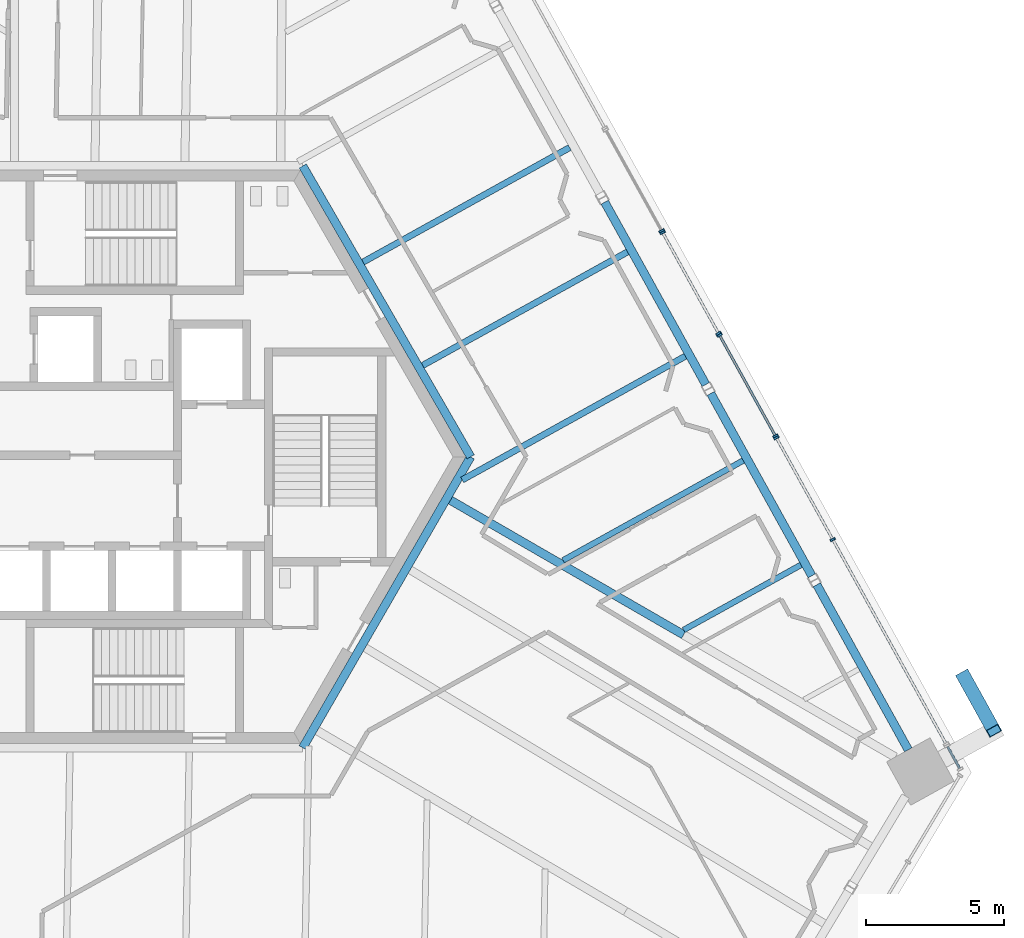
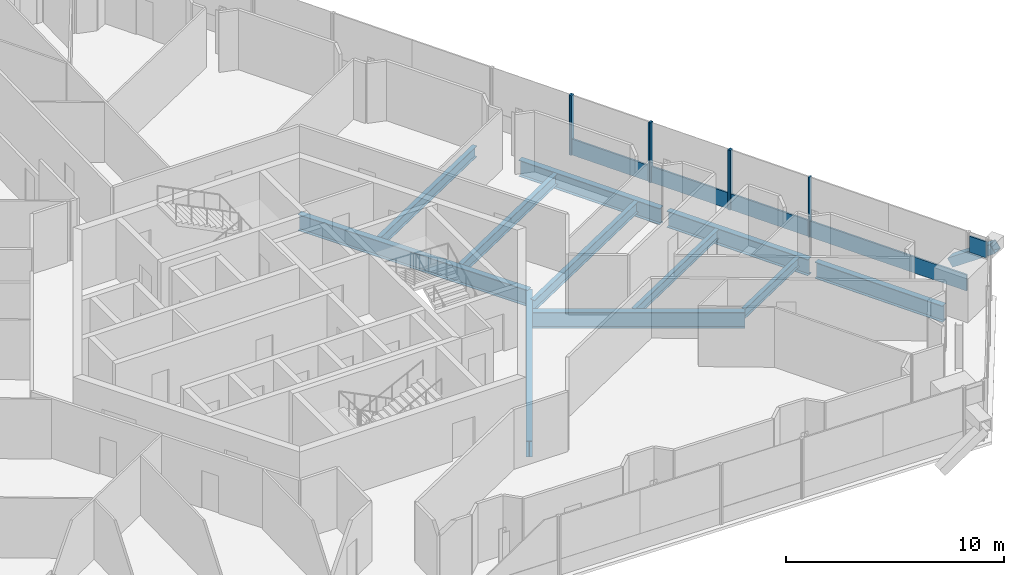
# One storey, part 8 of 24: 13 members, 11 beams, 5 elements without a shape of their own.
"""IFC4 building model written with IfcOpenShell, lengths in metres."""

from ifc_helpers import new_model, si_unit, direction, frame, origin, origin_2d, place, context, subcontext, project, spatial, rectangle, hollow_rectangle, i_section, extrude, source, transform, mapped, material, material_profile, profile_set, type_object, element, aggregate, save


model = new_model("IFC4")

# Units and contexts
model_context = context("Model", 3, precision=1e-05, world=origin(), true_north=direction((0.0, 1.0)))
body_context = subcontext(model_context, "Body", "Model", "MODEL_VIEW")
ifc_project = project(units=[si_unit("LENGTHUNIT", "METRE"), si_unit("AREAUNIT", "SQUARE_METRE"), si_unit("VOLUMEUNIT", "CUBIC_METRE"), si_unit("PLANEANGLEUNIT", "RADIAN"), si_unit("MASSUNIT", "GRAM", prefix="KILO")], contexts=[model_context])

# Site, building, storey
site_placement = place(None, origin())
site = spatial("IfcSite", under=ifc_project, at=site_placement, CompositionType="ELEMENT")
building_placement = place(site_placement, origin())
building = spatial("IfcBuilding", under=site, at=building_placement, Name="Triune Harvest Tower", CompositionType="ELEMENT")
storey_placement = place(building_placement, frame((0.0, 0.0, 212.300048828125)))
storey = spatial("IfcBuildingStorey", under=building, at=storey_placement, Name="L55", CompositionType="ELEMENT", Elevation=212.300048828125)

# Curtain wall, member
ifc_material_1 = material(Name="Aluminium bronze anodised", Category="aluminium")
curtain_wall_type_1 = type_object("IfcCurtainWallType", Name="CW-7 Tower stick curtain wall with insulated spandrel infill", PredefinedType="NOTDEFINED", material=ifc_material_1)
curtain_wall_1_placement = place(storey_placement, origin())
curtain_wall_1 = element("IfcCurtainWall", 1, at=curtain_wall_1_placement, inside=storey, type_object=curtain_wall_type_1, Name="CW-7 B5-F1 L55 run 201")
ifc_material_2 = material(Name="Aluminium bronze anodised", Category="aluminium")
ifc_material_profile_1 = material_profile(ifc_material_2, rectangle(XDim=0.090087890625, YDim=0.89990234375, at=origin_2d()), Name="TR-1 transom 90 x 900")
ifc_profile_set_1 = profile_set([ifc_material_profile_1], Name="Aluminium bronze anodised")
member_type_1 = type_object("IfcMemberType", Name="TR-1 transom 90 x 900", PredefinedType="USERDEFINED", material=ifc_profile_set_1)
member_1_placement = place(storey_placement, frame((25.28466796875, -2.96484375, 0.449951171875), z_axis=(-0.484821837264, 0.874612935025, 0.0), x_axis=(-0.874612935025, -0.484821837264, 0.0)))
member_1 = element("IfcMember", 2, at=member_1_placement, type_object=member_type_1, Name="CW-7 transom B5-F1 201.2", ObjectType="TRANSOM", PredefinedType="USERDEFINED", context=body_context, shape_type="SweptSolid", body=[
    extrude(rectangle(XDim=0.090087890625, YDim=0.89990234375, at=origin_2d()), origin(), (0.0, 0.0, 1.0), 4.141357421875),
])

# Beams
ifc_material_3 = material(Name="Steel ASTM A992 Gr 50", Category="steel")
ifc_material_profile_2 = material_profile(ifc_material_3, i_section(OverallWidth=0.3046875, OverallDepth=0.914306640625, WebThickness=0.0166015625, FlangeThickness=0.02587890625, at=origin_2d()), Name="W36x160")
ifc_profile_set_2 = profile_set([ifc_material_profile_2], Name="Steel ASTM A992 Gr 50")
beam_type_1 = type_object("IfcBeamType", Name="CG-1 Core ring girder W36x160", PredefinedType="BEAM", material=ifc_profile_set_2)
shared_shape_1 = source(origin(), body_context, "Body", "SweptSolid", [
    extrude(i_section(OverallWidth=0.3046875, OverallDepth=0.914306640625, WebThickness=0.0166015625, FlangeThickness=0.02587890625, at=origin_2d()), origin(), (0.0, 0.0, 1.0), 12.176025390625),
])
for number, where, z_axis, x_axis, name in (
    (3, (12.176025390625, 0.0, -0.6171875), (-0.5000099932, 0.866019634131, 0.0), (-0.866019634131, -0.5000099932, 0.0), "beam/L55/CG1"),
    (4, (6.087890625, -10.544677734375, -0.6171875), (0.5000099932, 0.866019634131, 0.0), (-0.866019634131, 0.5000099932, 0.0), "beam/L55/CG6"),
):
    element("IfcBeam", number, at=place(storey_placement, frame(where, z_axis=z_axis, x_axis=x_axis)), inside=storey, type_object=beam_type_1, Name=name, PredefinedType="BEAM", context=body_context, shape_type="MappedRepresentation", body=[
        mapped(shared_shape_1, transform((0.0, 0.0, 0.0), scale=1.0)),
    ])
ifc_material_4 = material(Name="Steel ASTM A992 Gr 50", Category="steel")
ifc_material_profile_3 = material_profile(ifc_material_4, i_section(OverallWidth=0.307373046875, OverallDepth=0.922119140625, WebThickness=0.018310546875, FlangeThickness=0.030029296875, at=origin_2d()), Name="W36x182")
ifc_profile_set_3 = profile_set([ifc_material_profile_3], Name="Steel ASTM A992 Gr 50")
beam_type_2 = type_object("IfcBeamType", Name="HG-2 Hip girder W36x182", PredefinedType="BEAM", material=ifc_profile_set_3)
shared_shape_2 = source(origin(), body_context, "Body", "SweptSolid", [
    extrude(i_section(OverallWidth=0.307373046875, OverallDepth=0.922119140625, WebThickness=0.018310546875, FlangeThickness=0.030029296875, at=origin_2d()), origin(), (0.0, 0.0, 1.0), 9.7568359375),
])
beam_1_placement = place(storey_placement, frame((19.893310546875, -6.451904296875, -0.62109375), z_axis=(-0.866026409454, 0.499998258125, 0.0), x_axis=(-0.499998258125, -0.866026409454, 0.0)))
element("IfcBeam", 5, at=beam_1_placement, inside=storey, type_object=beam_type_2, Name="beam/L55/HG2", PredefinedType="BEAM", context=body_context, shape_type="MappedRepresentation", body=[
    mapped(shared_shape_2, transform((0.0, 0.0, 0.0), scale=1.0)),
])
ifc_material_5 = material(Name="Steel ASTM A992 Gr 50", Category="steel")
ifc_material_profile_4 = material_profile(ifc_material_5, i_section(OverallWidth=0.3046875, OverallDepth=0.914306640625, WebThickness=0.0166015625, FlangeThickness=0.02587890625, at=origin_2d()), Name="W36x160")
ifc_profile_set_4 = profile_set([ifc_material_profile_4], Name="Steel ASTM A992 Gr 50")
beam_type_3 = type_object("IfcBeamType", Name="SB-1 Spandrel beam W36x160", PredefinedType="SPANDREL", material=ifc_profile_set_4)
shared_shape_3 = source(origin(), body_context, "Body", "SweptSolid", [
    extrude(i_section(OverallWidth=0.3046875, OverallDepth=0.914306640625, WebThickness=0.0166015625, FlangeThickness=0.02587890625, at=origin_2d()), origin(), (0.0, 0.0, 1.0), 6.841796875),
])
beam_2_placement = place(storey_placement, frame((28.0390625, -10.61962890625, -0.6171875), z_axis=(-0.484833781575, 0.87460631386, 0.0), x_axis=(-0.87460631386, -0.484833781575, 0.0)))
element("IfcBeam", 6, at=beam_2_placement, inside=storey, type_object=beam_type_3, Name="beam/L55/SB1", PredefinedType="SPANDREL", context=body_context, shape_type="MappedRepresentation", body=[
    mapped(shared_shape_3, transform((0.0, 0.0, 0.0), scale=1.0)),
])
shared_shape_4 = source(origin(), body_context, "Body", "SweptSolid", [
    extrude(i_section(OverallWidth=0.3046875, OverallDepth=0.914306640625, WebThickness=0.0166015625, FlangeThickness=0.02587890625, at=origin_2d()), origin(), (0.0, 0.0, 1.0), 7.556396484375),
])
for number, where, z_axis, x_axis, name in (
    (7, (24.542236328125, -4.311279296875, -0.6171875), (-0.484806011206, 0.874621707654, 0.0), (-0.874621707654, -0.484806011206, 0.0), "beam/L55/SB2"),
    (8, (20.698974609375, 2.6220703125, -0.6171875), (-0.484806011206, 0.874621707654, 0.0), (-0.874621707654, -0.484806011206, 0.0), "beam/L55/SB3"),
):
    element("IfcBeam", number, at=place(storey_placement, frame(where, z_axis=z_axis, x_axis=x_axis)), inside=storey, type_object=beam_type_3, Name=name, PredefinedType="SPANDREL", context=body_context, shape_type="MappedRepresentation", body=[
        mapped(shared_shape_4, transform((0.0, 0.0, 0.0), scale=1.0)),
    ])
ifc_material_6 = material(Name="Steel ASTM A992 Gr 50", Category="steel")
ifc_material_profile_5 = material_profile(ifc_material_6, i_section(OverallWidth=0.2099609375, OverallDepth=0.535888671875, WebThickness=0.010986328125, FlangeThickness=0.017333984375, at=origin_2d()), Name="W21x68")
ifc_profile_set_5 = profile_set([ifc_material_profile_5], Name="Steel ASTM A992 Gr 50")
beam_type_4 = type_object("IfcBeamType", Name="JT-2 Floor joist W21x68", PredefinedType="JOIST", material=ifc_profile_set_5)
shared_shape_5 = source(origin(), body_context, "Body", "SweptSolid", [
    extrude(i_section(OverallWidth=0.2099609375, OverallDepth=0.535888671875, WebThickness=0.010986328125, FlangeThickness=0.017333984375, at=origin_2d()), origin(), (0.0, 0.0, 1.0), 4.8642578125),
])
beam_3_placement = place(storey_placement, frame((24.1494140625, -3.9169921875, -0.427978515625), z_axis=(-0.874606715021, -0.484833057908, 0.0), x_axis=(0.484833057908, -0.874606715021, 0.0)))
element("IfcBeam", 9, at=beam_3_placement, inside=storey, type_object=beam_type_4, Name="beam/L55/JT2", PredefinedType="JOIST", context=body_context, shape_type="MappedRepresentation", body=[
    mapped(shared_shape_5, transform((0.0, 0.0, 0.0), scale=1.0)),
])
shared_shape_6 = source(origin(), body_context, "Body", "SweptSolid", [
    extrude(i_section(OverallWidth=0.2099609375, OverallDepth=0.535888671875, WebThickness=0.010986328125, FlangeThickness=0.017333984375, at=origin_2d()), origin(), (0.0, 0.0, 1.0), 7.46240234375),
])
beam_4_placement = place(storey_placement, frame((22.052978515625, -0.13525390625, -0.427978515625), z_axis=(-0.87461829469, -0.484812168363, 0.0), x_axis=(0.484812168363, -0.87461829469, 0.0)))
element("IfcBeam", 10, at=beam_4_placement, inside=storey, type_object=beam_type_4, Name="beam/L55/JT3", PredefinedType="JOIST", context=body_context, shape_type="MappedRepresentation", body=[
    mapped(shared_shape_6, transform((0.0, 0.0, 0.0), scale=1.0)),
])
ifc_material_7 = material(Name="Steel ASTM A992 Gr 50", Category="steel")
ifc_material_profile_6 = material_profile(ifc_material_7, i_section(OverallWidth=0.22900390625, OverallDepth=0.612060546875, WebThickness=0.011962890625, FlangeThickness=0.01953125, at=origin_2d()), Name="W24x84")
ifc_profile_set_6 = profile_set([ifc_material_profile_6], Name="Steel ASTM A992 Gr 50")
beam_type_5 = type_object("IfcBeamType", Name="JT-3 Floor joist W24x84", PredefinedType="JOIST", material=ifc_profile_set_6)
shared_shape_7 = source(origin(), body_context, "Body", "SweptSolid", [
    extrude(i_section(OverallWidth=0.22900390625, OverallDepth=0.612060546875, WebThickness=0.011962890625, FlangeThickness=0.01953125, at=origin_2d()), origin(), (0.0, 0.0, 1.0), 9.247314453125),
])
beam_5_placement = place(storey_placement, frame((19.956787109375, 3.646484375, -0.466064453125), z_axis=(-0.874621389222, -0.484806585676, 0.0), x_axis=(0.484806585676, -0.874621389222, 0.0)))
element("IfcBeam", 11, at=beam_5_placement, inside=storey, type_object=beam_type_5, Name="beam/L55/JT4", PredefinedType="JOIST", context=body_context, shape_type="MappedRepresentation", body=[
    mapped(shared_shape_7, transform((0.0, 0.0, 0.0), scale=1.0)),
])
shared_shape_8 = source(origin(), body_context, "Body", "SweptSolid", [
    extrude(i_section(OverallWidth=0.22900390625, OverallDepth=0.612060546875, WebThickness=0.011962890625, FlangeThickness=0.01953125, at=origin_2d()), origin(), (0.0, 0.0, 1.0), 8.486083984375),
])
beam_6_placement = place(storey_placement, frame((17.860595703125, 7.42822265625, -0.466064453125), z_axis=(-0.874626410095, -0.484797527598, 0.0), x_axis=(0.484797527598, -0.874626410095, 0.0)))
element("IfcBeam", 12, at=beam_6_placement, inside=storey, type_object=beam_type_5, Name="beam/L55/JT5", PredefinedType="JOIST", context=body_context, shape_type="MappedRepresentation", body=[
    mapped(shared_shape_8, transform((0.0, 0.0, 0.0), scale=1.0)),
])
shared_shape_9 = source(origin(), body_context, "Body", "SweptSolid", [
    extrude(i_section(OverallWidth=0.22900390625, OverallDepth=0.612060546875, WebThickness=0.011962890625, FlangeThickness=0.01953125, at=origin_2d()), origin(), (0.0, 0.0, 1.0), 8.561767578125),
])
beam_7_placement = place(storey_placement, frame((15.764404296875, 11.210205078125, -0.466064453125), z_axis=(-0.87461689263, -0.484814697721, 0.0), x_axis=(0.484814697721, -0.87461689263, 0.0)))
element("IfcBeam", 13, at=beam_7_placement, inside=storey, type_object=beam_type_5, Name="beam/L55/JT6", PredefinedType="JOIST", context=body_context, shape_type="MappedRepresentation", body=[
    mapped(shared_shape_9, transform((0.0, 0.0, 0.0), scale=1.0)),
])

# Member
ifc_material_8 = material(Name="Steel ASTM A572 Gr 50", Category="steel")
ifc_material_profile_7 = material_profile(ifc_material_8, hollow_rectangle(XDim=0.5, YDim=0.5, WallThickness=0.030029296875, at=origin_2d()), Name="Box 500x500x30")
ifc_profile_set_7 = profile_set([ifc_material_profile_7], Name="Steel ASTM A572 Gr 50")
member_type_2 = type_object("IfcMemberType", Name="BR-3 Brace Box 500x500x30", PredefinedType="BRACE", material=ifc_profile_set_7)
shared_shape_10 = source(origin(), body_context, "Body", "SweptSolid", [
    extrude(hollow_rectangle(XDim=0.5, YDim=0.5, WallThickness=0.030029296875, at=origin_2d()), origin(), (0.0, 0.0, 1.0), 2.77734375),
])
member_2_placement = place(storey_placement, frame((30.03955078125, -7.93310546875, 0.0), z_axis=(0.39795649014, -0.717939177153, 0.571133933386), x_axis=(0.874621615392, 0.484806177651, 0.0)))
element("IfcMember", 14, at=member_2_placement, inside=storey, type_object=member_type_2, Name="brace/B5-F1/d2/10", PredefinedType="BRACE", context=body_context, shape_type="MappedRepresentation", body=[
    mapped(shared_shape_10, transform((0.0, 0.0, 0.0), scale=1.0)),
])

# Curtain wall, member
ifc_material_9 = material(Name="Aluminium bronze anodised", Category="aluminium")
curtain_wall_type_2 = type_object("IfcCurtainWallType", Name="CW-1 Tower stick curtain wall", PredefinedType="NOTDEFINED", material=ifc_material_9)
curtain_wall_2_placement = place(storey_placement, origin())
curtain_wall_2 = element("IfcCurtainWall", 15, at=curtain_wall_2_placement, inside=storey, type_object=curtain_wall_type_2, Name="CW-1 B5-F1 L55 run 101")
shared_shape_11 = source(origin(), body_context, "Body", "SweptSolid", [
    extrude(rectangle(XDim=0.090087890625, YDim=0.89990234375, at=origin_2d()), origin(), (0.0, 0.0, 1.0), 0.89697265625),
])
member_3_placement = place(storey_placement, frame((29.898681640625, -11.288818359375, 2.68505859375), z_axis=(-0.484810665086, 0.874619127974, 0.0), x_axis=(-0.874619127974, -0.484810665086, 0.0)))
member_3 = element("IfcMember", 16, at=member_3_placement, type_object=member_type_1, Name="CW-1 transom B5-F1 101.1", ObjectType="TRANSOM", PredefinedType="USERDEFINED", context=body_context, shape_type="MappedRepresentation", body=[
    mapped(shared_shape_11, transform((0.0, 0.0, 0.0), scale=1.0)),
])
aggregate(curtain_wall_2, [member_3])

# Member
shared_shape_12 = source(origin(), body_context, "Body", "SweptSolid", [
    extrude(rectangle(XDim=0.090087890625, YDim=0.89990234375, at=origin_2d()), origin(), (0.0, 0.0, 1.0), 8.395263671875),
])
member_4_placement = place(storey_placement, frame((29.39111328125, -10.373291015625, 0.449951171875), z_axis=(-0.484800743608, 0.874624627482, 0.0), x_axis=(-0.874624627482, -0.484800743608, 0.0)))
member_4 = element("IfcMember", 17, at=member_4_placement, type_object=member_type_1, Name="CW-7 transom B5-F1 201.1", ObjectType="TRANSOM", PredefinedType="USERDEFINED", context=body_context, shape_type="MappedRepresentation", body=[
    mapped(shared_shape_12, transform((0.0, 0.0, 0.0), scale=1.0)),
])

ifc_material_10 = material(Name="Aluminium bronze anodised", Category="aluminium")
ifc_material_profile_8 = material_profile(ifc_material_10, rectangle(XDim=0.199951171875, YDim=0.074951171875, at=origin_2d()), Name="MU-1 mullion 75 x 200")
ifc_profile_set_8 = profile_set([ifc_material_profile_8], Name="Aluminium bronze anodised")
member_type_3 = type_object("IfcMemberType", Name="MU-1 mullion 75 x 200", PredefinedType="MULLION", material=ifc_profile_set_8)
shared_shape_13 = source(origin(), body_context, "Body", "SweptSolid", [
    extrude(rectangle(XDim=0.199951171875, YDim=0.074951171875, at=origin_2d()), origin(), (0.0, 0.0, 1.0), 3.349853515625),
])
member_5_placement = place(storey_placement, frame((25.302734375, -2.99755859375, 0.0), z_axis=(0.0, 0.0, 1.0), x_axis=(-0.874620748429, -0.484807741705, 0.0)))
member_5 = element("IfcMember", 18, at=member_5_placement, type_object=member_type_3, Name="CW-7 mullion B5-F1 201.3", PredefinedType="MULLION", context=body_context, shape_type="MappedRepresentation", body=[
    mapped(shared_shape_13, transform((0.0, 0.0, 0.0), scale=1.0)),
])

member_6_placement = place(storey_placement, frame((23.2587890625, 0.690185546875, 0.0), z_axis=(0.0, 0.0, 1.0), x_axis=(-0.874620748429, -0.484807741705, 0.0)))
member_6 = element("IfcMember", 19, at=member_6_placement, type_object=member_type_3, Name="CW-7 mullion B5-F1 201.4", PredefinedType="MULLION", context=body_context, shape_type="MappedRepresentation", body=[
    mapped(shared_shape_13, transform((0.0, 0.0, 0.0), scale=1.0)),
])

aggregate(curtain_wall_1, [member_5, member_6, member_4, member_1])

# Curtain wall, members
curtain_wall_3_placement = place(storey_placement, origin())
curtain_wall_3 = element("IfcCurtainWall", 20, at=curtain_wall_3_placement, inside=storey, type_object=curtain_wall_type_2, Name="CW-1 B5-F1 L55 run 1201")
member_7_placement = place(storey_placement, frame((23.222412109375, 0.755615234375, 0.0), z_axis=(0.0, 0.0, 1.0), x_axis=(-0.874615944984, -0.484816407292, 0.0)))
member_7 = element("IfcMember", 21, at=member_7_placement, type_object=member_type_3, Name="CW-1 mullion B5-F1 1201.1", PredefinedType="MULLION", context=body_context, shape_type="MappedRepresentation", body=[
    mapped(shared_shape_13, transform((0.0, 0.0, 0.0), scale=1.0)),
])
member_8_placement = place(storey_placement, frame((21.1962890625, 4.41064453125, 0.0), z_axis=(0.0, 0.0, 1.0), x_axis=(-0.874615944984, -0.484816407292, 0.0)))
member_8 = element("IfcMember", 22, at=member_8_placement, type_object=member_type_3, Name="CW-1 mullion B5-F1 1201.2", PredefinedType="MULLION", context=body_context, shape_type="MappedRepresentation", body=[
    mapped(shared_shape_13, transform((0.0, 0.0, 0.0), scale=1.0)),
])

curtain_wall_4_placement = place(storey_placement, origin())
curtain_wall_4 = element("IfcCurtainWall", 23, at=curtain_wall_4_placement, inside=storey, type_object=curtain_wall_type_1, Name="CW-7 B5-F1 L55 run 2201")
member_9_placement = place(storey_placement, frame((21.159912109375, 4.476318359375, 0.0), z_axis=(0.0, 0.0, 1.0), x_axis=(-0.874625912716, -0.484798424921, 0.0)))
member_9 = element("IfcMember", 24, at=member_9_placement, type_object=member_type_3, Name="CW-7 mullion B5-F1 2201.1", PredefinedType="MULLION", context=body_context, shape_type="MappedRepresentation", body=[
    mapped(shared_shape_13, transform((0.0, 0.0, 0.0), scale=1.0)),
])
member_10_placement = place(storey_placement, frame((19.134033203125, 8.13134765625, 0.0), z_axis=(0.0, 0.0, 1.0), x_axis=(-0.874625912716, -0.484798424921, 0.0)))
member_10 = element("IfcMember", 25, at=member_10_placement, type_object=member_type_3, Name="CW-7 mullion B5-F1 2201.2", PredefinedType="MULLION", context=body_context, shape_type="MappedRepresentation", body=[
    mapped(shared_shape_13, transform((0.0, 0.0, 0.0), scale=1.0)),
])

# Curtain wall, member
curtain_wall_5_placement = place(storey_placement, origin())
curtain_wall_5 = element("IfcCurtainWall", 26, at=curtain_wall_5_placement, inside=storey, type_object=curtain_wall_type_2, Name="CW-1 B5-F1 L55 run 3201")
member_11_placement = place(storey_placement, frame((19.09765625, 8.19677734375, 0.0), z_axis=(0.0, 0.0, 1.0), x_axis=(-0.874610419475, -0.484826375259, 0.0)))
member_11 = element("IfcMember", 27, at=member_11_placement, type_object=member_type_3, Name="CW-1 mullion B5-F1 3201.1", PredefinedType="MULLION", context=body_context, shape_type="MappedRepresentation", body=[
    mapped(shared_shape_13, transform((0.0, 0.0, 0.0), scale=1.0)),
])
aggregate(curtain_wall_5, [member_11])

# Member
shared_shape_14 = source(origin(), body_context, "Body", "SweptSolid", [
    extrude(rectangle(XDim=0.090087890625, YDim=0.89990234375, at=origin_2d()), origin(), (0.0, 0.0, 1.0), 4.10400390625),
])
member_12_placement = place(storey_placement, frame((23.2041015625, 0.78857421875, 0.449951171875), z_axis=(-0.484834572486, 0.874605875422, 0.0), x_axis=(-0.874605875422, -0.484834572486, 0.0)))
member_12 = element("IfcMember", 28, at=member_12_placement, type_object=member_type_1, Name="CW-1 transom B5-F1 1201.1", ObjectType="TRANSOM", PredefinedType="USERDEFINED", context=body_context, shape_type="MappedRepresentation", body=[
    mapped(shared_shape_14, transform((0.0, 0.0, 0.0), scale=1.0)),
])

aggregate(curtain_wall_3, [member_7, member_8, member_12])

member_13_placement = place(storey_placement, frame((21.141845703125, 4.509033203125, 0.449951171875), z_axis=(-0.484834572486, 0.874605875422, 0.0), x_axis=(-0.874605875422, -0.484834572486, 0.0)))
member_13 = element("IfcMember", 29, at=member_13_placement, type_object=member_type_1, Name="CW-7 transom B5-F1 2201.1", ObjectType="TRANSOM", PredefinedType="USERDEFINED", context=body_context, shape_type="MappedRepresentation", body=[
    mapped(shared_shape_14, transform((0.0, 0.0, 0.0), scale=1.0)),
])

aggregate(curtain_wall_4, [member_9, member_10, member_13])

save(model, "model.ifc")
